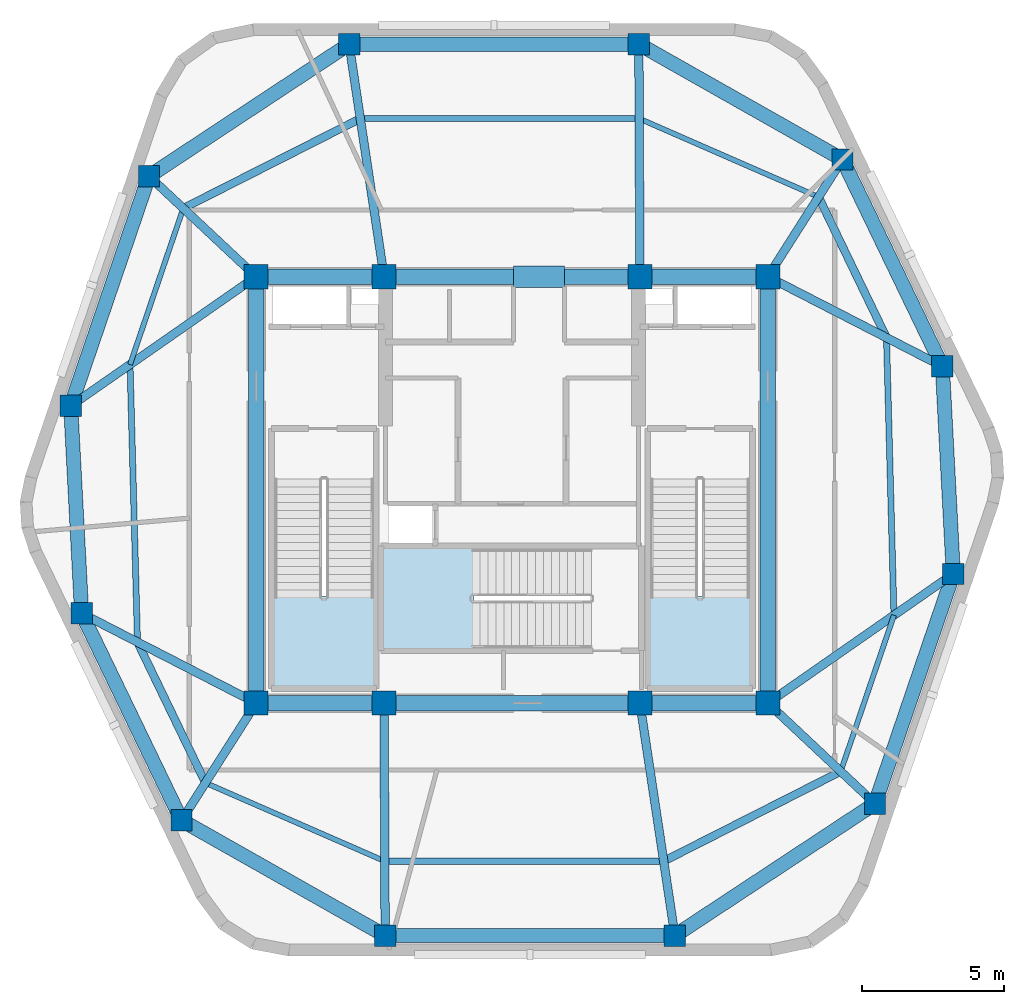
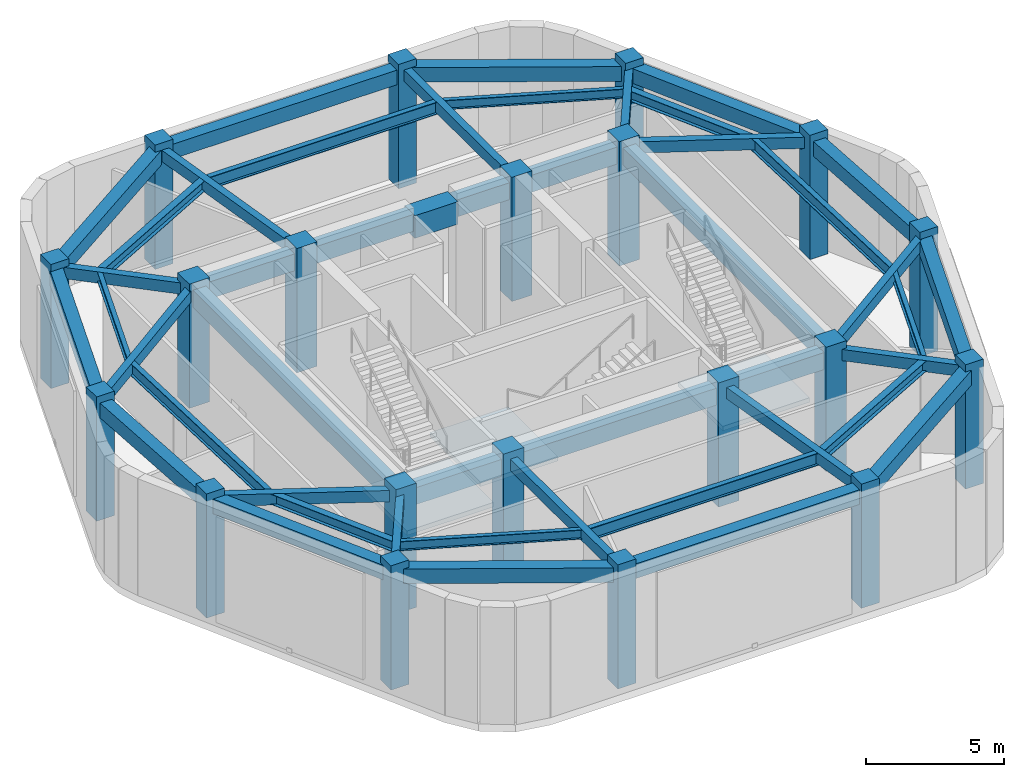
# One storey, part 1 of 6: 45 beams, 20 columns, 3 slabs, 3 elements without a shape of their own.
"""IFC4 building model written with IfcOpenShell, lengths in metres."""

from ifc_helpers import new_model, si_unit, direction, frame, origin, origin_2d, place, context, subcontext, project, spatial, polyline, rectangle, i_section, outline, extrude, material, layer, layer_set, material_profile, profile_set, type_object, element, aggregate, save


model = new_model("IFC4")

# Units and contexts
model_context = context("Model", 3, precision=1e-05, world=origin(), true_north=direction((0.0, 1.0)))
body_context = subcontext(model_context, "Body", "Model", "MODEL_VIEW")
ifc_project = project(units=[si_unit("LENGTHUNIT", "METRE"), si_unit("AREAUNIT", "SQUARE_METRE"), si_unit("VOLUMEUNIT", "CUBIC_METRE"), si_unit("PLANEANGLEUNIT", "RADIAN"), si_unit("MASSUNIT", "GRAM", prefix="KILO")], contexts=[model_context])

# Site, building, storey
site_placement = place(None, origin())
site = spatial("IfcSite", under=ifc_project, at=site_placement, CompositionType="ELEMENT")
building_placement = place(site_placement, origin())
building = spatial("IfcBuilding", under=site, at=building_placement, Name="Kilnhurst Terrace Hotel", CompositionType="ELEMENT")
storey_placement = place(building_placement, frame((0.0, 0.0, 310.39990234375)))
storey = spatial("IfcBuildingStorey", under=building, at=storey_placement, Name="L77", CompositionType="ELEMENT", Elevation=310.39990234375)

# Columns
ifc_material_1 = material(Name="Concrete C60/75", Category="concrete")
ifc_material_profile_1 = material_profile(ifc_material_1, rectangle(XDim=0.75, YDim=0.75, at=origin_2d()), Name="RC750X750")
ifc_profile_set_1 = profile_set([ifc_material_profile_1], Name="Concrete C60/75")
column_type_1 = type_object("IfcColumnType", Name="COL-RC-750", PredefinedType="COLUMN", material=ifc_profile_set_1)
for number, where, z_axis, x_axis, name in (
    (1, (-4.462890625, -15.679931640625, 0.0), (0.0, 0.0, 1.0), (1.0, 0.0, 0.0), "L77 Structural Column PC-F11"),
    (2, (5.72998046875, -15.679931640625, 0.0), (0.0, 0.0, 1.0), (1.0, 0.0, 0.0), "L77 Structural Column PC-F12"),
    (3, (12.77099609375, -11.035888671875, 0.0), (0.0, 0.0, 1.0), (1.0, 0.0, 0.0), "L77 Structural Column PC-F21"),
    (4, (15.52490234375, -2.9560546875, 0.0), (0.0, 0.0, 1.0), (1.0, 0.0, 0.0), "L77 Structural Column PC-F22"),
    (5, (15.138916015625, 4.344970703125, 0.0), (0.0, 0.0, 1.0), (1.0, 0.0, 0.0), "L77 Structural Column PC-F31"),
    (6, (11.625, 11.625, 0.0), (0.0, 0.0, 1.0), (1.0, 0.0, 0.0), "L77 Structural Column PC-F32"),
    (7, (4.462890625, 15.679931640625, 0.0), (0.0, 0.0, 1.0), (1.0, 0.0, 0.0), "L77 Structural Column PC-F41"),
    (8, (-5.72998046875, 15.679931640625, 0.0), (0.0, 0.0, 1.0), (1.0, 0.0, 0.0), "L77 Structural Column PC-F42"),
    (9, (-12.77099609375, 11.035888671875, 0.0), (0.0, 0.0, 1.0), (1.0, 0.0, 0.0), "L77 Structural Column PC-F51"),
    (10, (-15.52490234375, 2.9560546875, 0.0), (0.0, 0.0, 1.0), (1.0, 0.0, 0.0), "L77 Structural Column PC-F52"),
    (11, (-15.138916015625, -4.344970703125, 0.0), (0.0, 0.0, 1.0), (1.0, 0.0, 0.0), "L77 Structural Column PC-F61"),
    (12, (-11.625, -11.625, 0.0), (0.0, 0.0, 1.0), (1.0, 0.0, 0.0), "L77 Structural Column PC-F62"),
):
    element("IfcColumn", number, at=place(storey_placement, frame(where, z_axis=z_axis, x_axis=x_axis)), inside=storey, type_object=column_type_1, Name=name, PredefinedType="COLUMN", context=body_context, shape_type="SweptSolid", body=[
        extrude(rectangle(XDim=0.75, YDim=0.75, at=origin_2d()), origin(), (0.0, 0.0, 1.0), 5.5),
    ])
ifc_material_profile_2 = material_profile(ifc_material_1, rectangle(XDim=0.85009765625, YDim=0.85009765625, at=origin_2d()), Name="RC850X850")
ifc_profile_set_2 = profile_set([ifc_material_profile_2], Name="Concrete C60/75")
column_type_2 = type_object("IfcColumnType", Name="COL-RC-850", PredefinedType="COLUMN", material=ifc_profile_set_2)
for number, where, z_axis, x_axis, name in (
    (13, (-9.0, -7.5, 0.0), (0.0, 0.0, 1.0), (1.0, 0.0, 0.0), "L77 Structural Column CC-SW"),
    (14, (-4.5, -7.5, 0.0), (0.0, 0.0, 1.0), (1.0, 0.0, 0.0), "L77 Structural Column CC-SC1"),
    (15, (4.5, -7.5, 0.0), (0.0, 0.0, 1.0), (1.0, 0.0, 0.0), "L77 Structural Column CC-SC2"),
    (16, (9.0, -7.5, 0.0), (0.0, 0.0, 1.0), (1.0, 0.0, 0.0), "L77 Structural Column CC-SE"),
    (17, (9.0, 7.5, 0.0), (0.0, 0.0, 1.0), (1.0, 0.0, 0.0), "L77 Structural Column CC-NE"),
    (18, (4.5, 7.5, 0.0), (0.0, 0.0, 1.0), (1.0, 0.0, 0.0), "L77 Structural Column CC-NC2"),
    (19, (-4.5, 7.5, 0.0), (0.0, 0.0, 1.0), (1.0, 0.0, 0.0), "L77 Structural Column CC-NC1"),
    (20, (-9.0, 7.5, 0.0), (0.0, 0.0, 1.0), (1.0, 0.0, 0.0), "L77 Structural Column CC-NW"),
):
    element("IfcColumn", number, at=place(storey_placement, frame(where, z_axis=z_axis, x_axis=x_axis)), inside=storey, type_object=column_type_2, Name=name, PredefinedType="COLUMN", context=body_context, shape_type="SweptSolid", body=[
        extrude(rectangle(XDim=0.85009765625, YDim=0.85009765625, at=origin_2d()), origin(), (0.0, 0.0, 1.0), 5.5),
    ])

# Beams
ifc_material_2 = material(Name="Concrete C50/60", Category="concrete")
ifc_material_profile_3 = material_profile(ifc_material_2, rectangle(XDim=0.300048828125, YDim=0.5, at=origin_2d()), Name="RC300X500")
ifc_profile_set_3 = profile_set([ifc_material_profile_3], Name="Concrete C50/60")
beam_type_1 = type_object("IfcBeamType", Name="BM-RAD-300X500", PredefinedType="BEAM", material=ifc_profile_set_3)
beam_1_placement = place(storey_placement, frame((-4.5, -7.5, 4.93017578125), z_axis=(0.004536589639, -0.999989709624, 0.0), x_axis=(0.999989709624, 0.004536589639, 0.0)))
element("IfcBeam", 21, at=beam_1_placement, inside=storey, type_object=beam_type_1, Name="L77 Radial Floor Beam 1", PredefinedType="BEAM", context=body_context, shape_type="SweptSolid", body=[
    extrude(rectangle(XDim=0.300048828125, YDim=0.5, at=origin_2d()), origin(), (0.0, 0.0, 1.0), 8.179931640625),
])
beam_2_placement = place(storey_placement, frame((4.5, -7.5, 4.93017578125), z_axis=(0.148694040121, -0.988883250153, 0.0), x_axis=(0.988883250153, 0.148694040121, 0.0)))
element("IfcBeam", 22, at=beam_2_placement, inside=storey, type_object=beam_type_1, Name="L77 Radial Floor Beam 2", PredefinedType="BEAM", context=body_context, shape_type="SweptSolid", body=[
    extrude(rectangle(XDim=0.300048828125, YDim=0.5, at=origin_2d()), origin(), (0.0, 0.0, 1.0), 8.27197265625),
])
beam_3_placement = place(storey_placement, frame((9.0, -7.5, 4.93017578125), z_axis=(0.729481235233, -0.684000824154, 0.0), x_axis=(0.684000824154, 0.729481235233, 0.0)))
element("IfcBeam", 23, at=beam_3_placement, inside=storey, type_object=beam_type_1, Name="L77 Radial Floor Beam 3", PredefinedType="BEAM", context=body_context, shape_type="SweptSolid", body=[
    extrude(rectangle(XDim=0.300048828125, YDim=0.5, at=origin_2d()), origin(), (0.0, 0.0, 1.0), 5.16943359375),
])
beam_4_placement = place(storey_placement, frame((9.0, -7.5, 4.93017578125), z_axis=(0.820617215274, 0.571478246302, 0.0), x_axis=(-0.571478246302, 0.820617215274, 0.0)))
element("IfcBeam", 24, at=beam_4_placement, inside=storey, type_object=beam_type_1, Name="L77 Radial Floor Beam 4", PredefinedType="BEAM", context=body_context, shape_type="SweptSolid", body=[
    extrude(rectangle(XDim=0.300048828125, YDim=0.5, at=origin_2d()), origin(), (0.0, 0.0, 1.0), 7.951171875),
])
beam_5_placement = place(storey_placement, frame((9.0, 7.5, 4.93017578125), z_axis=(0.889413132904, -0.457104232115, 0.0), x_axis=(0.457104232115, 0.889413132904, 0.0)))
element("IfcBeam", 25, at=beam_5_placement, inside=storey, type_object=beam_type_1, Name="L77 Radial Floor Beam 5", PredefinedType="BEAM", context=body_context, shape_type="SweptSolid", body=[
    extrude(rectangle(XDim=0.300048828125, YDim=0.5, at=origin_2d()), origin(), (0.0, 0.0, 1.0), 6.902099609375),
])
beam_6_placement = place(storey_placement, frame((9.0, 7.5, 4.93017578125), z_axis=(0.536875492193, 0.843661487732, 0.0), x_axis=(-0.843661487732, 0.536875492193, 0.0)))
element("IfcBeam", 26, at=beam_6_placement, inside=storey, type_object=beam_type_1, Name="L77 Radial Floor Beam 6", PredefinedType="BEAM", context=body_context, shape_type="SweptSolid", body=[
    extrude(rectangle(XDim=0.300048828125, YDim=0.5, at=origin_2d()), origin(), (0.0, 0.0, 1.0), 4.889404296875),
])
beam_7_placement = place(storey_placement, frame((4.5, 7.5, 4.93017578125), z_axis=(-0.004536589639, 0.999989709624, 0.0), x_axis=(-0.999989709624, -0.004536589639, 0.0)))
element("IfcBeam", 27, at=beam_7_placement, inside=storey, type_object=beam_type_1, Name="L77 Radial Floor Beam 7", PredefinedType="BEAM", context=body_context, shape_type="SweptSolid", body=[
    extrude(rectangle(XDim=0.300048828125, YDim=0.5, at=origin_2d()), origin(), (0.0, 0.0, 1.0), 8.179931640625),
])
beam_8_placement = place(storey_placement, frame((-4.5, 7.5, 4.93017578125), z_axis=(-0.148694040121, 0.988883250153, 0.0), x_axis=(-0.988883250153, -0.148694040121, 0.0)))
element("IfcBeam", 28, at=beam_8_placement, inside=storey, type_object=beam_type_1, Name="L77 Radial Floor Beam 8", PredefinedType="BEAM", context=body_context, shape_type="SweptSolid", body=[
    extrude(rectangle(XDim=0.300048828125, YDim=0.5, at=origin_2d()), origin(), (0.0, 0.0, 1.0), 8.27197265625),
])
beam_9_placement = place(storey_placement, frame((-9.0, 7.5, 4.93017578125), z_axis=(-0.729481235233, 0.684000824154, 0.0), x_axis=(-0.684000824154, -0.729481235233, 0.0)))
element("IfcBeam", 29, at=beam_9_placement, inside=storey, type_object=beam_type_1, Name="L77 Radial Floor Beam 9", PredefinedType="BEAM", context=body_context, shape_type="SweptSolid", body=[
    extrude(rectangle(XDim=0.300048828125, YDim=0.5, at=origin_2d()), origin(), (0.0, 0.0, 1.0), 5.16943359375),
])
beam_10_placement = place(storey_placement, frame((-9.0, 7.5, 4.93017578125), z_axis=(-0.820617215274, -0.571478246302, 0.0), x_axis=(0.571478246302, -0.820617215274, 0.0)))
element("IfcBeam", 30, at=beam_10_placement, inside=storey, type_object=beam_type_1, Name="L77 Radial Floor Beam 10", PredefinedType="BEAM", context=body_context, shape_type="SweptSolid", body=[
    extrude(rectangle(XDim=0.300048828125, YDim=0.5, at=origin_2d()), origin(), (0.0, 0.0, 1.0), 7.951171875),
])
beam_11_placement = place(storey_placement, frame((-9.0, -7.5, 4.93017578125), z_axis=(-0.889413132904, 0.457104232115, 0.0), x_axis=(-0.457104232115, -0.889413132904, 0.0)))
element("IfcBeam", 31, at=beam_11_placement, inside=storey, type_object=beam_type_1, Name="L77 Radial Floor Beam 11", PredefinedType="BEAM", context=body_context, shape_type="SweptSolid", body=[
    extrude(rectangle(XDim=0.300048828125, YDim=0.5, at=origin_2d()), origin(), (0.0, 0.0, 1.0), 6.902099609375),
])
beam_12_placement = place(storey_placement, frame((-9.0, -7.5, 4.93017578125), z_axis=(-0.536875492193, -0.843661487732, 0.0), x_axis=(0.843661487732, -0.536875492193, 0.0)))
element("IfcBeam", 32, at=beam_12_placement, inside=storey, type_object=beam_type_1, Name="L77 Radial Floor Beam 12", PredefinedType="BEAM", context=body_context, shape_type="SweptSolid", body=[
    extrude(rectangle(XDim=0.300048828125, YDim=0.5, at=origin_2d()), origin(), (0.0, 0.0, 1.0), 4.889404296875),
])
ifc_material_profile_4 = material_profile(ifc_material_2, rectangle(XDim=0.5, YDim=0.64990234375, at=origin_2d()), Name="RC500X650")
ifc_profile_set_4 = profile_set([ifc_material_profile_4], Name="Concrete C50/60")
beam_type_2 = type_object("IfcBeamType", Name="BM-SPN-500X650", PredefinedType="SPANDREL", material=ifc_profile_set_4)
beam_13_placement = place(storey_placement, frame((-4.462890625, -15.679931640625, 4.85498046875), z_axis=(1.0, 0.0, 0.0), x_axis=(0.0, 1.0, 0.0)))
element("IfcBeam", 33, at=beam_13_placement, inside=storey, type_object=beam_type_2, Name="L77 Perimeter Spandrel Beam 1", PredefinedType="SPANDREL", context=body_context, shape_type="SweptSolid", body=[
    extrude(rectangle(XDim=0.5, YDim=0.64990234375, at=origin_2d()), origin(), (0.0, 0.0, 1.0), 10.19287109375),
])
beam_14_placement = place(storey_placement, frame((5.72998046875, -15.679931640625, 4.85498046875), z_axis=(0.834774377505, 0.550592170905, 0.0), x_axis=(-0.550592170905, 0.834774377505, 0.0)))
element("IfcBeam", 34, at=beam_14_placement, inside=storey, type_object=beam_type_2, Name="L77 Perimeter Spandrel Beam 2", PredefinedType="SPANDREL", context=body_context, shape_type="SweptSolid", body=[
    extrude(rectangle(XDim=0.5, YDim=0.64990234375, at=origin_2d()), origin(), (0.0, 0.0, 1.0), 8.4345703125),
])
beam_15_placement = place(storey_placement, frame((12.77099609375, -11.035888671875, 4.85498046875), z_axis=(0.322612782294, 0.946531031029, 0.0), x_axis=(-0.946531031029, 0.322612782294, 0.0)))
element("IfcBeam", 35, at=beam_15_placement, inside=storey, type_object=beam_type_2, Name="L77 Perimeter Spandrel Beam 3", PredefinedType="SPANDREL", context=body_context, shape_type="SweptSolid", body=[
    extrude(rectangle(XDim=0.5, YDim=0.64990234375, at=origin_2d()), origin(), (0.0, 0.0, 1.0), 8.536376953125),
])
beam_16_placement = place(storey_placement, frame((15.52490234375, -2.9560546875, 4.85498046875), z_axis=(-0.052793686745, 0.998605440922, 0.0), x_axis=(-0.998605440922, -0.052793686745, 0.0)))
element("IfcBeam", 36, at=beam_16_placement, inside=storey, type_object=beam_type_2, Name="L77 Perimeter Spandrel Beam 4", PredefinedType="SPANDREL", context=body_context, shape_type="SweptSolid", body=[
    extrude(rectangle(XDim=0.5, YDim=0.64990234375, at=origin_2d()), origin(), (0.0, 0.0, 1.0), 7.311279296875),
])
beam_17_placement = place(storey_placement, frame((15.138916015625, 4.344970703125, 4.85498046875), z_axis=(-0.434690787886, 0.90057976822, 0.0), x_axis=(-0.90057976822, -0.434690787886, 0.0)))
element("IfcBeam", 37, at=beam_17_placement, inside=storey, type_object=beam_type_2, Name="L77 Perimeter Spandrel Beam 5", PredefinedType="SPANDREL", context=body_context, shape_type="SweptSolid", body=[
    extrude(rectangle(XDim=0.5, YDim=0.64990234375, at=origin_2d()), origin(), (0.0, 0.0, 1.0), 8.083740234375),
])
beam_18_placement = place(storey_placement, frame((11.625, 11.625, 4.85498046875), z_axis=(-0.870209584547, 0.492681721766, 0.0), x_axis=(-0.492681721766, -0.870209584547, 0.0)))
element("IfcBeam", 38, at=beam_18_placement, inside=storey, type_object=beam_type_2, Name="L77 Perimeter Spandrel Beam 6", PredefinedType="SPANDREL", context=body_context, shape_type="SweptSolid", body=[
    extrude(rectangle(XDim=0.5, YDim=0.64990234375, at=origin_2d()), origin(), (0.0, 0.0, 1.0), 8.230224609375),
])
beam_19_placement = place(storey_placement, frame((4.462890625, 15.679931640625, 4.85498046875), z_axis=(-1.0, 0.0, 0.0), x_axis=(0.0, -1.0, 0.0)))
element("IfcBeam", 39, at=beam_19_placement, inside=storey, type_object=beam_type_2, Name="L77 Perimeter Spandrel Beam 7", PredefinedType="SPANDREL", context=body_context, shape_type="SweptSolid", body=[
    extrude(rectangle(XDim=0.5, YDim=0.64990234375, at=origin_2d()), origin(), (0.0, 0.0, 1.0), 10.19287109375),
])
beam_20_placement = place(storey_placement, frame((-5.72998046875, 15.679931640625, 4.85498046875), z_axis=(-0.834774377505, -0.550592170905, 0.0), x_axis=(0.550592170905, -0.834774377505, 0.0)))
element("IfcBeam", 40, at=beam_20_placement, inside=storey, type_object=beam_type_2, Name="L77 Perimeter Spandrel Beam 8", PredefinedType="SPANDREL", context=body_context, shape_type="SweptSolid", body=[
    extrude(rectangle(XDim=0.5, YDim=0.64990234375, at=origin_2d()), origin(), (0.0, 0.0, 1.0), 8.4345703125),
])
beam_21_placement = place(storey_placement, frame((-12.77099609375, 11.035888671875, 4.85498046875), z_axis=(-0.322612782294, -0.946531031029, 0.0), x_axis=(0.946531031029, -0.322612782294, 0.0)))
element("IfcBeam", 41, at=beam_21_placement, inside=storey, type_object=beam_type_2, Name="L77 Perimeter Spandrel Beam 9", PredefinedType="SPANDREL", context=body_context, shape_type="SweptSolid", body=[
    extrude(rectangle(XDim=0.5, YDim=0.64990234375, at=origin_2d()), origin(), (0.0, 0.0, 1.0), 8.536376953125),
])
beam_22_placement = place(storey_placement, frame((-15.52490234375, 2.9560546875, 4.85498046875), z_axis=(0.052793686745, -0.998605440922, 0.0), x_axis=(0.998605440922, 0.052793686745, 0.0)))
element("IfcBeam", 42, at=beam_22_placement, inside=storey, type_object=beam_type_2, Name="L77 Perimeter Spandrel Beam 10", PredefinedType="SPANDREL", context=body_context, shape_type="SweptSolid", body=[
    extrude(rectangle(XDim=0.5, YDim=0.64990234375, at=origin_2d()), origin(), (0.0, 0.0, 1.0), 7.311279296875),
])
beam_23_placement = place(storey_placement, frame((-15.138916015625, -4.344970703125, 4.85498046875), z_axis=(0.434690787886, -0.90057976822, 0.0), x_axis=(0.90057976822, 0.434690787886, 0.0)))
element("IfcBeam", 43, at=beam_23_placement, inside=storey, type_object=beam_type_2, Name="L77 Perimeter Spandrel Beam 11", PredefinedType="SPANDREL", context=body_context, shape_type="SweptSolid", body=[
    extrude(rectangle(XDim=0.5, YDim=0.64990234375, at=origin_2d()), origin(), (0.0, 0.0, 1.0), 8.083740234375),
])
beam_24_placement = place(storey_placement, frame((-11.625, -11.625, 4.85498046875), z_axis=(0.870209584547, -0.492681721766, 0.0), x_axis=(0.492681721766, 0.870209584547, 0.0)))
element("IfcBeam", 44, at=beam_24_placement, inside=storey, type_object=beam_type_2, Name="L77 Perimeter Spandrel Beam 12", PredefinedType="SPANDREL", context=body_context, shape_type="SweptSolid", body=[
    extrude(rectangle(XDim=0.5, YDim=0.64990234375, at=origin_2d()), origin(), (0.0, 0.0, 1.0), 8.230224609375),
])
ifc_material_profile_5 = material_profile(ifc_material_2, rectangle(XDim=0.550048828125, YDim=0.75, at=origin_2d()), Name="RC550X750")
ifc_profile_set_5 = profile_set([ifc_material_profile_5], Name="Concrete C50/60")
beam_type_3 = type_object("IfcBeamType", Name="BM-SPN-550X750", PredefinedType="SPANDREL", material=ifc_profile_set_5)
beam_25_placement = place(storey_placement, frame((-9.0, 7.5, 4.80517578125), z_axis=(1.0, 0.0, 0.0), x_axis=(0.0, 1.0, 0.0)))
element("IfcBeam", 45, at=beam_25_placement, inside=storey, type_object=beam_type_3, Name="L77 Core Tie Beam CC-NW to CC-NC1", PredefinedType="SPANDREL", context=body_context, shape_type="SweptSolid", body=[
    extrude(rectangle(XDim=0.550048828125, YDim=0.75, at=origin_2d()), origin(), (0.0, 0.0, 1.0), 4.5),
])
beam_26_placement = place(storey_placement, frame((-4.5, 7.5, 4.80517578125), z_axis=(1.0, 0.0, 0.0), x_axis=(0.0, 1.0, 0.0)))
element("IfcBeam", 46, at=beam_26_placement, inside=storey, type_object=beam_type_3, Name="L77 Core Tie Beam CC-NC1 to CC-NC2", PredefinedType="SPANDREL", context=body_context, shape_type="SweptSolid", body=[
    extrude(rectangle(XDim=0.550048828125, YDim=0.75, at=origin_2d()), origin(), (0.0, 0.0, 1.0), 9.0),
])
for number, where, z_axis, x_axis, name in (
    (47, (4.5, 7.5, 4.80517578125), (1.0, 0.0, 0.0), (0.0, 1.0, 0.0), "L77 Core Tie Beam CC-NC2 to CC-NE"),
    (48, (-9.0, -7.5, 4.80517578125), (1.0, 0.0, 0.0), (0.0, 1.0, 0.0), "L77 Core Tie Beam CC-SW to CC-SC1"),
):
    element("IfcBeam", number, at=place(storey_placement, frame(where, z_axis=z_axis, x_axis=x_axis)), inside=storey, type_object=beam_type_3, Name=name, PredefinedType="SPANDREL", context=body_context, shape_type="SweptSolid", body=[
        extrude(rectangle(XDim=0.550048828125, YDim=0.75, at=origin_2d()), origin(), (0.0, 0.0, 1.0), 4.5),
    ])
beam_27_placement = place(storey_placement, frame((-4.5, -7.5, 4.80517578125), z_axis=(1.0, 0.0, 0.0), x_axis=(0.0, 1.0, 0.0)))
element("IfcBeam", 49, at=beam_27_placement, inside=storey, type_object=beam_type_3, Name="L77 Core Tie Beam CC-SC1 to CC-SC2", PredefinedType="SPANDREL", context=body_context, shape_type="SweptSolid", body=[
    extrude(rectangle(XDim=0.550048828125, YDim=0.75, at=origin_2d()), origin(), (0.0, 0.0, 1.0), 9.0),
])
beam_28_placement = place(storey_placement, frame((4.5, -7.5, 4.80517578125), z_axis=(1.0, 0.0, 0.0), x_axis=(0.0, 1.0, 0.0)))
element("IfcBeam", 50, at=beam_28_placement, inside=storey, type_object=beam_type_3, Name="L77 Core Tie Beam CC-SC2 to CC-SE", PredefinedType="SPANDREL", context=body_context, shape_type="SweptSolid", body=[
    extrude(rectangle(XDim=0.550048828125, YDim=0.75, at=origin_2d()), origin(), (0.0, 0.0, 1.0), 4.5),
])
for number, where, z_axis, x_axis, name in (
    (51, (-9.0, -7.5, 4.80517578125), (0.0, 1.0, 0.0), (-1.0, 0.0, 0.0), "L77 Core Tie Beam CC-SW to CC-NW"),
    (52, (9.0, -7.5, 4.80517578125), (0.0, 1.0, 0.0), (-1.0, 0.0, 0.0), "L77 Core Tie Beam CC-SE to CC-NE"),
):
    element("IfcBeam", number, at=place(storey_placement, frame(where, z_axis=z_axis, x_axis=x_axis)), inside=storey, type_object=beam_type_3, Name=name, PredefinedType="SPANDREL", context=body_context, shape_type="SweptSolid", body=[
        extrude(rectangle(XDim=0.550048828125, YDim=0.75, at=origin_2d()), origin(), (0.0, 0.0, 1.0), 15.0),
    ])
ifc_material_3 = material(Name="Steel ASTM A992 Grade 50", Category="steel")
ifc_material_profile_6 = material_profile(ifc_material_3, i_section(OverallWidth=0.180908203125, OverallDepth=0.417236328125, WebThickness=0.010986328125, FlangeThickness=0.018310546875, at=origin_2d()), Name="W16X57")
ifc_profile_set_6 = profile_set([ifc_material_profile_6], Name="Steel ASTM A992 Grade 50")
beam_type_4 = type_object("IfcBeamType", Name="JST-STL-W16X57", PredefinedType="JOIST", material=ifc_profile_set_6)
beam_29_placement = place(storey_placement, frame((11.564208984375, -9.904541015625, 4.97119140625), z_axis=(0.322630253623, 0.946525075974, 0.0), x_axis=(-0.946525075974, 0.322630253623, 0.0)))
element("IfcBeam", 53, at=beam_29_placement, inside=storey, type_object=beam_type_4, Name="L77 Secondary Floor Steel Joist OUT.3", PredefinedType="JOIST", context=body_context, shape_type="SweptSolid", body=[
    extrude(i_section(OverallWidth=0.180908203125, OverallDepth=0.417236328125, WebThickness=0.010986328125, FlangeThickness=0.018310546875, at=origin_2d()), origin(), (0.0, 0.0, 1.0), 5.8046875),
])
beam_30_placement = place(storey_placement, frame((10.784912109375, 10.304931640625, 4.97119140625), z_axis=(-0.916321620913, 0.400443113372, 0.0), x_axis=(-0.400443113372, -0.916321620913, 0.0)))
element("IfcBeam", 54, at=beam_30_placement, inside=storey, type_object=beam_type_4, Name="L77 Secondary Floor Steel Joist OUT.6", PredefinedType="JOIST", context=body_context, shape_type="SweptSolid", body=[
    extrude(i_section(OverallWidth=0.180908203125, OverallDepth=0.417236328125, WebThickness=0.010986328125, FlangeThickness=0.018310546875, at=origin_2d()), origin(), (0.0, 0.0, 1.0), 6.88623046875),
])
beam_31_placement = place(storey_placement, frame((-11.564208984375, 9.904541015625, 4.97119140625), z_axis=(-0.322630253623, -0.946525075974, 0.0), x_axis=(0.946525075974, -0.322630253623, 0.0)))
element("IfcBeam", 55, at=beam_31_placement, inside=storey, type_object=beam_type_4, Name="L77 Secondary Floor Steel Joist OUT.9", PredefinedType="JOIST", context=body_context, shape_type="SweptSolid", body=[
    extrude(i_section(OverallWidth=0.180908203125, OverallDepth=0.417236328125, WebThickness=0.010986328125, FlangeThickness=0.018310546875, at=origin_2d()), origin(), (0.0, 0.0, 1.0), 5.8046875),
])
beam_32_placement = place(storey_placement, frame((-10.784912109375, -10.304931640625, 4.97119140625), z_axis=(0.916321620913, -0.400443113372, 0.0), x_axis=(0.400443113372, 0.916321620913, 0.0)))
element("IfcBeam", 56, at=beam_32_placement, inside=storey, type_object=beam_type_4, Name="L77 Secondary Floor Steel Joist OUT.12", PredefinedType="JOIST", context=body_context, shape_type="SweptSolid", body=[
    extrude(i_section(OverallWidth=0.180908203125, OverallDepth=0.417236328125, WebThickness=0.010986328125, FlangeThickness=0.018310546875, at=origin_2d()), origin(), (0.0, 0.0, 1.0), 6.88623046875),
])
ifc_material_profile_7 = material_profile(ifc_material_3, i_section(OverallWidth=0.279296875, OverallDepth=0.462890625, WebThickness=0.0107421875, FlangeThickness=0.017333984375, at=origin_2d()), Name="W18X76")
ifc_profile_set_7 = profile_set([ifc_material_profile_7], Name="Steel ASTM A992 Grade 50")
beam_type_5 = type_object("IfcBeamType", Name="JST-STL-W18X76", PredefinedType="JOIST", material=ifc_profile_set_7)
beam_33_placement = place(storey_placement, frame((5.33642578125, -13.0625, 4.947998046875), z_axis=(0.891888563741, 0.452255226469, 0.0), x_axis=(-0.452255226469, 0.891888563741, 0.0)))
element("IfcBeam", 57, at=beam_33_placement, inside=storey, type_object=beam_type_5, Name="L77 Secondary Floor Steel Joist OUT.2", PredefinedType="JOIST", context=body_context, shape_type="SweptSolid", body=[
    extrude(i_section(OverallWidth=0.279296875, OverallDepth=0.462890625, WebThickness=0.0107421875, FlangeThickness=0.017333984375, at=origin_2d()), origin(), (0.0, 0.0, 1.0), 6.982666015625),
])
beam_34_placement = place(storey_placement, frame((13.174560546875, 5.3544921875, 4.947998046875), z_axis=(-0.434716772802, 0.900567225389, 0.0), x_axis=(-0.900567225389, -0.434716772802, 0.0)))
element("IfcBeam", 58, at=beam_34_placement, inside=storey, type_object=beam_type_5, Name="L77 Secondary Floor Steel Joist OUT.5", PredefinedType="JOIST", context=body_context, shape_type="SweptSolid", body=[
    extrude(i_section(OverallWidth=0.279296875, OverallDepth=0.462890625, WebThickness=0.0107421875, FlangeThickness=0.017333984375, at=origin_2d()), origin(), (0.0, 0.0, 1.0), 5.4970703125),
])
beam_35_placement = place(storey_placement, frame((-5.33642578125, 13.0625, 4.947998046875), z_axis=(-0.891888563741, -0.452255226469, 0.0), x_axis=(0.452255226469, -0.891888563741, 0.0)))
element("IfcBeam", 59, at=beam_35_placement, inside=storey, type_object=beam_type_5, Name="L77 Secondary Floor Steel Joist OUT.8", PredefinedType="JOIST", context=body_context, shape_type="SweptSolid", body=[
    extrude(i_section(OverallWidth=0.279296875, OverallDepth=0.462890625, WebThickness=0.0107421875, FlangeThickness=0.017333984375, at=origin_2d()), origin(), (0.0, 0.0, 1.0), 6.982666015625),
])
beam_36_placement = place(storey_placement, frame((-13.174560546875, -5.3544921875, 4.947998046875), z_axis=(0.434716772802, -0.900567225389, 0.0), x_axis=(0.900567225389, 0.434716772802, 0.0)))
element("IfcBeam", 60, at=beam_36_placement, inside=storey, type_object=beam_type_5, Name="L77 Secondary Floor Steel Joist OUT.11", PredefinedType="JOIST", context=body_context, shape_type="SweptSolid", body=[
    extrude(i_section(OverallWidth=0.279296875, OverallDepth=0.462890625, WebThickness=0.0107421875, FlangeThickness=0.017333984375, at=origin_2d()), origin(), (0.0, 0.0, 1.0), 5.4970703125),
])
ifc_material_profile_8 = material_profile(ifc_material_3, i_section(OverallWidth=0.2138671875, OverallDepth=0.549072265625, WebThickness=0.0146484375, FlangeThickness=0.023681640625, at=origin_2d()), Name="W21X93")
ifc_profile_set_8 = profile_set([ifc_material_profile_8], Name="Steel ASTM A992 Grade 50")
beam_type_6 = type_object("IfcBeamType", Name="JST-STL-W21X93", PredefinedType="JOIST", material=ifc_profile_set_8)
beam_37_placement = place(storey_placement, frame((-4.474853515625, -13.0625, 4.905029296875), z_axis=(1.0, 0.0, 0.0), x_axis=(0.0, 1.0, 0.0)))
element("IfcBeam", 61, at=beam_37_placement, inside=storey, type_object=beam_type_6, Name="L77 Secondary Floor Steel Joist OUT.1", PredefinedType="JOIST", context=body_context, shape_type="SweptSolid", body=[
    extrude(i_section(OverallWidth=0.2138671875, OverallDepth=0.549072265625, WebThickness=0.0146484375, FlangeThickness=0.023681640625, at=origin_2d()), origin(), (0.0, 0.0, 1.0), 9.811279296875),
])
beam_38_placement = place(storey_placement, frame((13.43701171875, -4.41015625, 4.905029296875), z_axis=(-0.026867984669, 0.999638990536, 0.0), x_axis=(-0.999638990536, -0.026867984669, 0.0)))
element("IfcBeam", 62, at=beam_38_placement, inside=storey, type_object=beam_type_6, Name="L77 Secondary Floor Steel Joist OUT.4", PredefinedType="JOIST", context=body_context, shape_type="SweptSolid", body=[
    extrude(i_section(OverallWidth=0.2138671875, OverallDepth=0.549072265625, WebThickness=0.0146484375, FlangeThickness=0.023681640625, at=origin_2d()), origin(), (0.0, 0.0, 1.0), 9.76806640625),
])
beam_39_placement = place(storey_placement, frame((4.474853515625, 13.0625, 4.905029296875), z_axis=(-1.0, 0.0, 0.0), x_axis=(0.0, -1.0, 0.0)))
element("IfcBeam", 63, at=beam_39_placement, inside=storey, type_object=beam_type_6, Name="L77 Secondary Floor Steel Joist OUT.7", PredefinedType="JOIST", context=body_context, shape_type="SweptSolid", body=[
    extrude(i_section(OverallWidth=0.2138671875, OverallDepth=0.549072265625, WebThickness=0.0146484375, FlangeThickness=0.023681640625, at=origin_2d()), origin(), (0.0, 0.0, 1.0), 9.811279296875),
])
beam_40_placement = place(storey_placement, frame((-13.43701171875, 4.41015625, 4.905029296875), z_axis=(0.026867984669, -0.999638990536, 0.0), x_axis=(0.999638990536, 0.026867984669, 0.0)))
element("IfcBeam", 64, at=beam_40_placement, inside=storey, type_object=beam_type_6, Name="L77 Secondary Floor Steel Joist OUT.10", PredefinedType="JOIST", context=body_context, shape_type="SweptSolid", body=[
    extrude(i_section(OverallWidth=0.2138671875, OverallDepth=0.549072265625, WebThickness=0.0146484375, FlangeThickness=0.023681640625, at=origin_2d()), origin(), (0.0, 0.0, 1.0), 9.76806640625),
])
ifc_material_profile_9 = material_profile(ifc_material_1, rectangle(XDim=0.75, YDim=1.0, at=origin_2d()), Name="RC750X1000")
ifc_profile_set_9 = profile_set([ifc_material_profile_9], Name="Concrete C60/75")
beam_type_7 = type_object("IfcBeamType", Name="LNT-CB-750X1000", PredefinedType="LINTEL", material=ifc_profile_set_9)
beam_41_placement = place(storey_placement, frame((0.050048828125, 7.5, 4.68017578125), z_axis=(1.0, 0.0, 0.0), x_axis=(0.0, 1.0, 0.0)))
element("IfcBeam", 65, at=beam_41_placement, inside=storey, type_object=beam_type_7, Name="L77 North Core Coupling Link Beam", PredefinedType="LINTEL", context=body_context, shape_type="SweptSolid", body=[
    extrude(rectangle(XDim=0.75, YDim=1.0, at=origin_2d()), origin(), (0.0, 0.0, 1.0), 1.800048828125),
])

# Stair, slab
stair_type = type_object("IfcStairType", Name="STR-CORE-1660", PredefinedType="HALF_TURN_STAIR", material=ifc_material_2)
stair_1_placement = place(storey_placement, origin())
stair_1 = element("IfcStair", 66, at=stair_1_placement, inside=storey, type_object=stair_type, Name="L77 ST-1", PredefinedType="HALF_TURN_STAIR")
ifc_layer = layer(ifc_material_2, 0.199951171875, Name="Concrete C50/60")
ifc_layer_set = layer_set([ifc_layer], Name="Concrete C50/60")
slab_type = type_object("IfcSlabType", Name="SLB-ST-LND-200", PredefinedType="LANDING", material=ifc_layer_set)
slab_1_placement = place(storey_placement, frame((0.0, 0.0, 2.550048828125)))
slab_1 = element("IfcSlab", 67, at=slab_1_placement, type_object=slab_type, Name="ST-1 landing 1", PredefinedType="LANDING", context=body_context, shape_type="SweptSolid", body=[
    extrude(outline(polyline([(-8.429931640625, -3.72998046875), (-4.800048828125, -3.72998046875), (-4.800048828125, -6.97998046875), (-8.429931640625, -6.97998046875), (-8.429931640625, -3.72998046875)])), origin(), (0.0, 0.0, 1.0), 0.199951171875),
])
aggregate(stair_1, [slab_1])

stair_2_placement = place(storey_placement, origin())
stair_2 = element("IfcStair", 68, at=stair_2_placement, inside=storey, type_object=stair_type, Name="L77 ST-2", PredefinedType="HALF_TURN_STAIR")
slab_2_placement = place(storey_placement, frame((0.0, 0.0, 2.550048828125)))
slab_2 = element("IfcSlab", 69, at=slab_2_placement, type_object=slab_type, Name="ST-2 landing 1", PredefinedType="LANDING", context=body_context, shape_type="SweptSolid", body=[
    extrude(outline(polyline([(4.800048828125, -3.72998046875), (8.429931640625, -3.72998046875), (8.429931640625, -6.97998046875), (4.800048828125, -6.97998046875), (4.800048828125, -3.72998046875)])), origin(), (0.0, 0.0, 1.0), 0.199951171875),
])
aggregate(stair_2, [slab_2])

stair_3_placement = place(storey_placement, origin())
stair_3 = element("IfcStair", 70, at=stair_3_placement, inside=storey, type_object=stair_type, Name="L77 ST-3", PredefinedType="HALF_TURN_STAIR")
slab_3_placement = place(storey_placement, frame((0.0, 0.0, 2.550048828125)))
slab_3 = element("IfcSlab", 71, at=slab_3_placement, type_object=slab_type, Name="ST-3 landing 1", PredefinedType="LANDING", context=body_context, shape_type="SweptSolid", body=[
    extrude(outline(polyline([(-1.330078125, -2.0), (-1.330078125, -5.6298828125), (-4.580078125, -5.6298828125), (-4.580078125, -2.0), (-1.330078125, -2.0)])), origin(), (0.0, 0.0, 1.0), 0.199951171875),
])
aggregate(stair_3, [slab_3])

save(model, "model.ifc")
